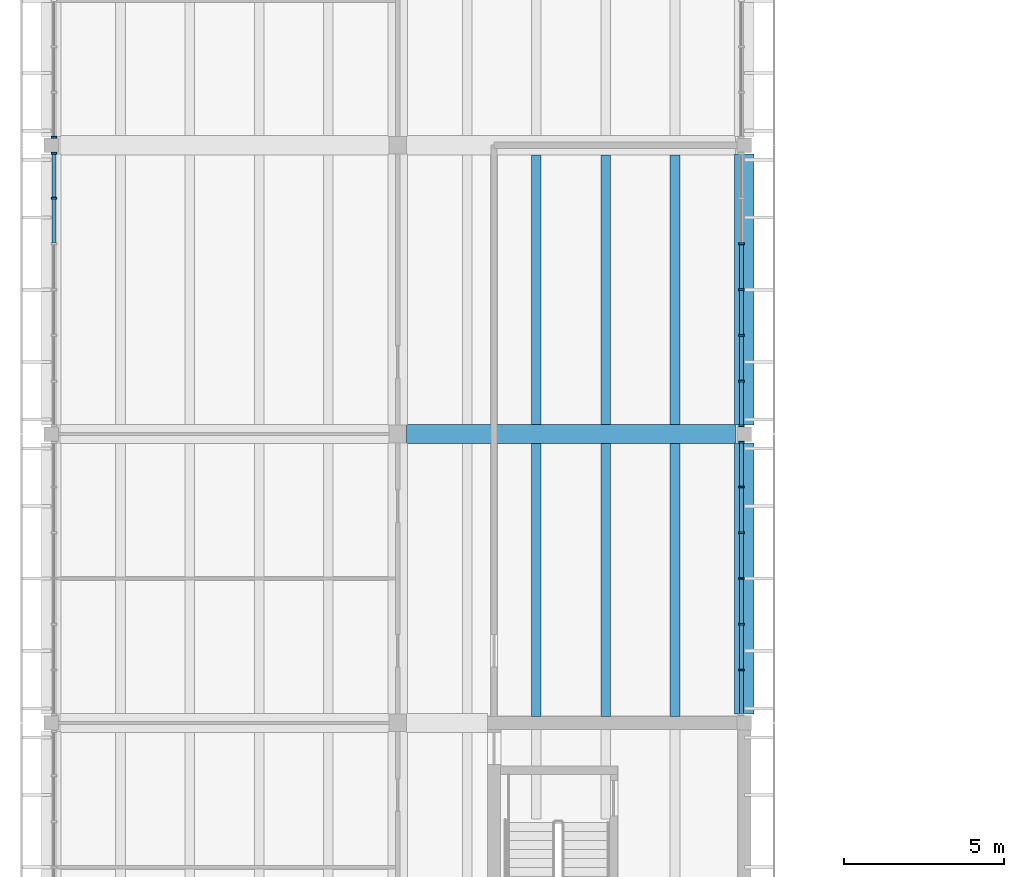
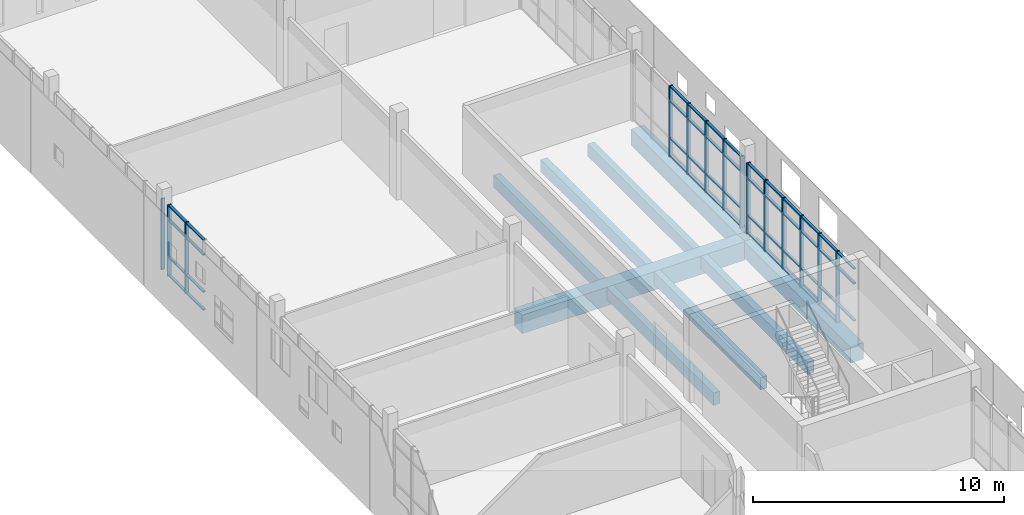
# One storey, part 13 of 50: 61 members, 9 beams, 4 elements without a shape of their own.
"""IFC4 building model written with IfcOpenShell, lengths in metres."""

from ifc_helpers import new_model, si_unit, direction, frame, origin, origin_2d, place, context, subcontext, project, spatial, rectangle, extrude, material, material_profile, profile_set, type_object, element, aggregate, save


model = new_model("IFC4")

# Units and contexts
model_context = context("Model", 3, precision=1e-05, world=origin(), true_north=direction((0.0, 1.0)))
body_context = subcontext(model_context, "Body", "Model", "MODEL_VIEW")
ifc_project = project(units=[si_unit("LENGTHUNIT", "METRE"), si_unit("AREAUNIT", "SQUARE_METRE"), si_unit("VOLUMEUNIT", "CUBIC_METRE"), si_unit("PLANEANGLEUNIT", "RADIAN"), si_unit("MASSUNIT", "GRAM", prefix="KILO")], contexts=[model_context])

# Site, building, storey
site_placement = place(None, origin())
site = spatial("IfcSite", under=ifc_project, at=site_placement, CompositionType="ELEMENT")
building_placement = place(site_placement, origin())
building = spatial("IfcBuilding", under=site, at=building_placement, Name="Merrow Basin Faculty of Sciences", CompositionType="ELEMENT")
storey_placement = place(building_placement, frame((0.0, 0.0, 18.0)))
storey = spatial("IfcBuildingStorey", under=building, at=storey_placement, Name="L04", CompositionType="ELEMENT", Elevation=18.0)

# Curtain wall, members
ifc_material_1 = material(Name="Aluminium alloy 6063", Category="aluminium")
curtain_wall_type = type_object("IfcCurtainWallType", Name="Bar unitised curtain wall 180", PredefinedType="NOTDEFINED", material=ifc_material_1)
curtain_wall_1_placement = place(storey_placement, origin())
curtain_wall_1 = element("IfcCurtainWall", 1, at=curtain_wall_1_placement, inside=storey, type_object=curtain_wall_type, Name="West curtain wall L04 5", PredefinedType="NOTDEFINED")
ifc_material_2 = material(Name="Aluminium alloy 6063", Category="aluminium")
ifc_material_profile_1 = material_profile(ifc_material_2, rectangle(XDim=0.179931640625, YDim=0.06005859375, at=origin_2d()))
ifc_profile_set_1 = profile_set([ifc_material_profile_1], Name="Aluminium alloy 6063")
member_type_1 = type_object("IfcMemberType", Name="Aluminium mullion 60x180", PredefinedType="MULLION", material=ifc_profile_set_1)
member_1_placement = place(storey_placement, frame((0.090087890625, 113.35009765625, 0.0), z_axis=(0.0, 0.0, 1.0), x_axis=(-1.0, 0.0, 0.0)))
member_1 = element("IfcMember", 2, at=member_1_placement, type_object=member_type_1, Name="CW1 mullion 6", PredefinedType="MULLION", context=body_context, shape_type="SweptSolid", body=[
    extrude(rectangle(XDim=0.179931640625, YDim=0.06005859375, at=origin_2d()), origin(), (0.0, 0.0, 1.0), 3.449951171875),
])
member_2_placement = place(storey_placement, frame((0.090087890625, 114.7451171875, 0.0), z_axis=(0.0, 0.0, 1.0), x_axis=(-1.0, 0.0, 0.0)))
member_2 = element("IfcMember", 3, at=member_2_placement, type_object=member_type_1, Name="CW1 mullion 7", PredefinedType="MULLION", context=body_context, shape_type="SweptSolid", body=[
    extrude(rectangle(XDim=0.179931640625, YDim=0.06005859375, at=origin_2d()), origin(), (0.0, 0.0, 1.0), 3.449951171875),
])

# Curtain wall, member
curtain_wall_2_placement = place(storey_placement, origin())
curtain_wall_2 = element("IfcCurtainWall", 4, at=curtain_wall_2_placement, inside=storey, type_object=curtain_wall_type, Name="West curtain wall L04 6", PredefinedType="NOTDEFINED")
member_3_placement = place(storey_placement, frame((0.090087890625, 115.2548828125, 0.0), z_axis=(0.0, 0.0, 1.0), x_axis=(-1.0, 0.0, 0.0)))
member_3 = element("IfcMember", 5, at=member_3_placement, type_object=member_type_1, Name="CW1 mullion 1", PredefinedType="MULLION", context=body_context, shape_type="SweptSolid", body=[
    extrude(rectangle(XDim=0.179931640625, YDim=0.06005859375, at=origin_2d()), origin(), (0.0, 0.0, 1.0), 3.449951171875),
])
aggregate(curtain_wall_2, [member_3])

# Curtain wall, members
curtain_wall_3_placement = place(storey_placement, origin())
curtain_wall_3 = element("IfcCurtainWall", 6, at=curtain_wall_3_placement, inside=storey, type_object=curtain_wall_type, Name="East curtain wall L04 4", PredefinedType="NOTDEFINED")
member_4_placement = place(storey_placement, frame((21.510009765625, 98.64990234375, 0.0), z_axis=(0.0, 0.0, 1.0), x_axis=(-1.0, 0.0, 0.0)))
member_4 = element("IfcMember", 7, at=member_4_placement, type_object=member_type_1, Name="CW1 mullion 2", PredefinedType="MULLION", context=body_context, shape_type="SweptSolid", body=[
    extrude(rectangle(XDim=0.179931640625, YDim=0.06005859375, at=origin_2d()), origin(), (0.0, 0.0, 1.0), 3.449951171875),
])
member_5_placement = place(storey_placement, frame((21.510009765625, 100.074951171875, 0.0), z_axis=(0.0, 0.0, 1.0), x_axis=(-1.0, 0.0, 0.0)))
member_5 = element("IfcMember", 8, at=member_5_placement, type_object=member_type_1, Name="CW1 mullion 3", PredefinedType="MULLION", context=body_context, shape_type="SweptSolid", body=[
    extrude(rectangle(XDim=0.179931640625, YDim=0.06005859375, at=origin_2d()), origin(), (0.0, 0.0, 1.0), 3.449951171875),
])
member_6_placement = place(storey_placement, frame((21.510009765625, 101.5, 0.0), z_axis=(0.0, 0.0, 1.0), x_axis=(-1.0, 0.0, 0.0)))
member_6 = element("IfcMember", 9, at=member_6_placement, type_object=member_type_1, Name="CW1 mullion 4", PredefinedType="MULLION", context=body_context, shape_type="SweptSolid", body=[
    extrude(rectangle(XDim=0.179931640625, YDim=0.06005859375, at=origin_2d()), origin(), (0.0, 0.0, 1.0), 3.449951171875),
])
member_7_placement = place(storey_placement, frame((21.510009765625, 102.925048828125, 0.0), z_axis=(0.0, 0.0, 1.0), x_axis=(-1.0, 0.0, 0.0)))
member_7 = element("IfcMember", 10, at=member_7_placement, type_object=member_type_1, Name="CW1 mullion 5", PredefinedType="MULLION", context=body_context, shape_type="SweptSolid", body=[
    extrude(rectangle(XDim=0.179931640625, YDim=0.06005859375, at=origin_2d()), origin(), (0.0, 0.0, 1.0), 3.449951171875),
])
member_8_placement = place(storey_placement, frame((21.510009765625, 104.35009765625, 0.0), z_axis=(0.0, 0.0, 1.0), x_axis=(-1.0, 0.0, 0.0)))
member_8 = element("IfcMember", 11, at=member_8_placement, type_object=member_type_1, Name="CW1 mullion 6", PredefinedType="MULLION", context=body_context, shape_type="SweptSolid", body=[
    extrude(rectangle(XDim=0.179931640625, YDim=0.06005859375, at=origin_2d()), origin(), (0.0, 0.0, 1.0), 3.449951171875),
])
member_9_placement = place(storey_placement, frame((21.510009765625, 105.7451171875, 0.0), z_axis=(0.0, 0.0, 1.0), x_axis=(-1.0, 0.0, 0.0)))
member_9 = element("IfcMember", 12, at=member_9_placement, type_object=member_type_1, Name="CW1 mullion 7", PredefinedType="MULLION", context=body_context, shape_type="SweptSolid", body=[
    extrude(rectangle(XDim=0.179931640625, YDim=0.06005859375, at=origin_2d()), origin(), (0.0, 0.0, 1.0), 3.449951171875),
])

curtain_wall_4_placement = place(storey_placement, origin())
curtain_wall_4 = element("IfcCurtainWall", 13, at=curtain_wall_4_placement, inside=storey, type_object=curtain_wall_type, Name="East curtain wall L04 5", PredefinedType="NOTDEFINED")
member_10_placement = place(storey_placement, frame((21.510009765625, 106.2548828125, 0.0), z_axis=(0.0, 0.0, 1.0), x_axis=(-1.0, 0.0, 0.0)))
member_10 = element("IfcMember", 14, at=member_10_placement, type_object=member_type_1, Name="CW1 mullion 1", PredefinedType="MULLION", context=body_context, shape_type="SweptSolid", body=[
    extrude(rectangle(XDim=0.179931640625, YDim=0.06005859375, at=origin_2d()), origin(), (0.0, 0.0, 1.0), 3.449951171875),
])
member_11_placement = place(storey_placement, frame((21.510009765625, 107.64990234375, 0.0), z_axis=(0.0, 0.0, 1.0), x_axis=(-1.0, 0.0, 0.0)))
member_11 = element("IfcMember", 15, at=member_11_placement, type_object=member_type_1, Name="CW1 mullion 2", PredefinedType="MULLION", context=body_context, shape_type="SweptSolid", body=[
    extrude(rectangle(XDim=0.179931640625, YDim=0.06005859375, at=origin_2d()), origin(), (0.0, 0.0, 1.0), 3.449951171875),
])
member_12_placement = place(storey_placement, frame((21.510009765625, 109.074951171875, 0.0), z_axis=(0.0, 0.0, 1.0), x_axis=(-1.0, 0.0, 0.0)))
member_12 = element("IfcMember", 16, at=member_12_placement, type_object=member_type_1, Name="CW1 mullion 3", PredefinedType="MULLION", context=body_context, shape_type="SweptSolid", body=[
    extrude(rectangle(XDim=0.179931640625, YDim=0.06005859375, at=origin_2d()), origin(), (0.0, 0.0, 1.0), 3.449951171875),
])
member_13_placement = place(storey_placement, frame((21.510009765625, 110.5, 0.0), z_axis=(0.0, 0.0, 1.0), x_axis=(-1.0, 0.0, 0.0)))
member_13 = element("IfcMember", 17, at=member_13_placement, type_object=member_type_1, Name="CW1 mullion 4", PredefinedType="MULLION", context=body_context, shape_type="SweptSolid", body=[
    extrude(rectangle(XDim=0.179931640625, YDim=0.06005859375, at=origin_2d()), origin(), (0.0, 0.0, 1.0), 3.449951171875),
])
member_14_placement = place(storey_placement, frame((21.510009765625, 111.925048828125, 0.0), z_axis=(0.0, 0.0, 1.0), x_axis=(-1.0, 0.0, 0.0)))
member_14 = element("IfcMember", 18, at=member_14_placement, type_object=member_type_1, Name="CW1 mullion 5", PredefinedType="MULLION", context=body_context, shape_type="SweptSolid", body=[
    extrude(rectangle(XDim=0.179931640625, YDim=0.06005859375, at=origin_2d()), origin(), (0.0, 0.0, 1.0), 3.449951171875),
])

# Member
ifc_material_3 = material(Name="Aluminium alloy 6063", Category="aluminium")
ifc_material_profile_2 = material_profile(ifc_material_3, rectangle(XDim=0.1201171875, YDim=0.06005859375, at=origin_2d()))
ifc_profile_set_2 = profile_set([ifc_material_profile_2], Name="Aluminium alloy 6063")
member_type_2 = type_object("IfcMemberType", Name="Aluminium transom 60x120", PredefinedType="USERDEFINED", material=ifc_profile_set_2)
member_15_placement = place(storey_placement, frame((0.090087890625, 111.955078125, 0.030029296875), z_axis=(0.0, 1.0, 0.0), x_axis=(-1.0, 0.0, 0.0)))
member_15 = element("IfcMember", 19, at=member_15_placement, type_object=member_type_2, Name="CW1 transom 5.1", ObjectType="TRANSOM", PredefinedType="USERDEFINED", context=body_context, shape_type="SweptSolid", body=[
    extrude(rectangle(XDim=0.1201171875, YDim=0.06005859375, at=origin_2d()), origin(), (0.0, 0.0, 1.0), 1.364990234375),
])

member_16_placement = place(storey_placement, frame((0.090087890625, 111.955078125, 0.89990234375), z_axis=(0.0, 1.0, 0.0), x_axis=(-1.0, 0.0, 0.0)))
member_16 = element("IfcMember", 20, at=member_16_placement, type_object=member_type_2, Name="CW1 transom 5.2", ObjectType="TRANSOM", PredefinedType="USERDEFINED", context=body_context, shape_type="SweptSolid", body=[
    extrude(rectangle(XDim=0.1201171875, YDim=0.06005859375, at=origin_2d()), origin(), (0.0, 0.0, 1.0), 1.364990234375),
])

member_17_placement = place(storey_placement, frame((0.090087890625, 111.955078125, 2.699951171875), z_axis=(0.0, 1.0, 0.0), x_axis=(-1.0, 0.0, 0.0)))
member_17 = element("IfcMember", 21, at=member_17_placement, type_object=member_type_2, Name="CW1 transom 5.3", ObjectType="TRANSOM", PredefinedType="USERDEFINED", context=body_context, shape_type="SweptSolid", body=[
    extrude(rectangle(XDim=0.1201171875, YDim=0.06005859375, at=origin_2d()), origin(), (0.0, 0.0, 1.0), 1.364990234375),
])

member_18_placement = place(storey_placement, frame((0.090087890625, 111.955078125, 3.419921875), z_axis=(0.0, 1.0, 0.0), x_axis=(-1.0, 0.0, 0.0)))
member_18 = element("IfcMember", 22, at=member_18_placement, type_object=member_type_2, Name="CW1 transom 5.4", ObjectType="TRANSOM", PredefinedType="USERDEFINED", context=body_context, shape_type="SweptSolid", body=[
    extrude(rectangle(XDim=0.1201171875, YDim=0.06005859375, at=origin_2d()), origin(), (0.0, 0.0, 1.0), 1.364990234375),
])

member_19_placement = place(storey_placement, frame((0.090087890625, 113.3798828125, 0.030029296875), z_axis=(0.0, 1.0, 0.0), x_axis=(-1.0, 0.0, 0.0)))
member_19 = element("IfcMember", 23, at=member_19_placement, type_object=member_type_2, Name="CW1 transom 6.1", ObjectType="TRANSOM", PredefinedType="USERDEFINED", context=body_context, shape_type="SweptSolid", body=[
    extrude(rectangle(XDim=0.1201171875, YDim=0.06005859375, at=origin_2d()), origin(), (0.0, 0.0, 1.0), 1.335205078125),
])

member_20_placement = place(storey_placement, frame((0.090087890625, 113.3798828125, 0.89990234375), z_axis=(0.0, 1.0, 0.0), x_axis=(-1.0, 0.0, 0.0)))
member_20 = element("IfcMember", 24, at=member_20_placement, type_object=member_type_2, Name="CW1 transom 6.2", ObjectType="TRANSOM", PredefinedType="USERDEFINED", context=body_context, shape_type="SweptSolid", body=[
    extrude(rectangle(XDim=0.1201171875, YDim=0.06005859375, at=origin_2d()), origin(), (0.0, 0.0, 1.0), 1.335205078125),
])

member_21_placement = place(storey_placement, frame((0.090087890625, 113.3798828125, 2.699951171875), z_axis=(0.0, 1.0, 0.0), x_axis=(-1.0, 0.0, 0.0)))
member_21 = element("IfcMember", 25, at=member_21_placement, type_object=member_type_2, Name="CW1 transom 6.3", ObjectType="TRANSOM", PredefinedType="USERDEFINED", context=body_context, shape_type="SweptSolid", body=[
    extrude(rectangle(XDim=0.1201171875, YDim=0.06005859375, at=origin_2d()), origin(), (0.0, 0.0, 1.0), 1.335205078125),
])

member_22_placement = place(storey_placement, frame((0.090087890625, 113.3798828125, 3.419921875), z_axis=(0.0, 1.0, 0.0), x_axis=(-1.0, 0.0, 0.0)))
member_22 = element("IfcMember", 26, at=member_22_placement, type_object=member_type_2, Name="CW1 transom 6.4", ObjectType="TRANSOM", PredefinedType="USERDEFINED", context=body_context, shape_type="SweptSolid", body=[
    extrude(rectangle(XDim=0.1201171875, YDim=0.06005859375, at=origin_2d()), origin(), (0.0, 0.0, 1.0), 1.335205078125),
])

aggregate(curtain_wall_1, [member_1, member_2, member_15, member_16, member_17, member_18, member_19, member_20, member_21, member_22])

member_23_placement = place(storey_placement, frame((21.510009765625, 97.284912109375, 0.89990234375), z_axis=(0.0, 1.0, 0.0), x_axis=(-1.0, 0.0, 0.0)))
member_23 = element("IfcMember", 27, at=member_23_placement, type_object=member_type_2, Name="CW1 transom 1.2", ObjectType="TRANSOM", PredefinedType="USERDEFINED", context=body_context, shape_type="SweptSolid", body=[
    extrude(rectangle(XDim=0.1201171875, YDim=0.06005859375, at=origin_2d()), origin(), (0.0, 0.0, 1.0), 1.335205078125),
])

member_24_placement = place(storey_placement, frame((21.510009765625, 97.284912109375, 2.699951171875), z_axis=(0.0, 1.0, 0.0), x_axis=(-1.0, 0.0, 0.0)))
member_24 = element("IfcMember", 28, at=member_24_placement, type_object=member_type_2, Name="CW1 transom 1.3", ObjectType="TRANSOM", PredefinedType="USERDEFINED", context=body_context, shape_type="SweptSolid", body=[
    extrude(rectangle(XDim=0.1201171875, YDim=0.06005859375, at=origin_2d()), origin(), (0.0, 0.0, 1.0), 1.335205078125),
])

member_25_placement = place(storey_placement, frame((21.510009765625, 97.284912109375, 3.419921875), z_axis=(0.0, 1.0, 0.0), x_axis=(-1.0, 0.0, 0.0)))
member_25 = element("IfcMember", 29, at=member_25_placement, type_object=member_type_2, Name="CW1 transom 1.4", ObjectType="TRANSOM", PredefinedType="USERDEFINED", context=body_context, shape_type="SweptSolid", body=[
    extrude(rectangle(XDim=0.1201171875, YDim=0.06005859375, at=origin_2d()), origin(), (0.0, 0.0, 1.0), 1.335205078125),
])

member_26_placement = place(storey_placement, frame((21.510009765625, 98.679931640625, 0.030029296875), z_axis=(0.0, 1.0, 0.0), x_axis=(-1.0, 0.0, 0.0)))
member_26 = element("IfcMember", 30, at=member_26_placement, type_object=member_type_2, Name="CW1 transom 2.1", ObjectType="TRANSOM", PredefinedType="USERDEFINED", context=body_context, shape_type="SweptSolid", body=[
    extrude(rectangle(XDim=0.1201171875, YDim=0.06005859375, at=origin_2d()), origin(), (0.0, 0.0, 1.0), 1.364990234375),
])

member_27_placement = place(storey_placement, frame((21.510009765625, 98.679931640625, 0.89990234375), z_axis=(0.0, 1.0, 0.0), x_axis=(-1.0, 0.0, 0.0)))
member_27 = element("IfcMember", 31, at=member_27_placement, type_object=member_type_2, Name="CW1 transom 2.2", ObjectType="TRANSOM", PredefinedType="USERDEFINED", context=body_context, shape_type="SweptSolid", body=[
    extrude(rectangle(XDim=0.1201171875, YDim=0.06005859375, at=origin_2d()), origin(), (0.0, 0.0, 1.0), 1.364990234375),
])

member_28_placement = place(storey_placement, frame((21.510009765625, 98.679931640625, 2.699951171875), z_axis=(0.0, 1.0, 0.0), x_axis=(-1.0, 0.0, 0.0)))
member_28 = element("IfcMember", 32, at=member_28_placement, type_object=member_type_2, Name="CW1 transom 2.3", ObjectType="TRANSOM", PredefinedType="USERDEFINED", context=body_context, shape_type="SweptSolid", body=[
    extrude(rectangle(XDim=0.1201171875, YDim=0.06005859375, at=origin_2d()), origin(), (0.0, 0.0, 1.0), 1.364990234375),
])

member_29_placement = place(storey_placement, frame((21.510009765625, 98.679931640625, 3.419921875), z_axis=(0.0, 1.0, 0.0), x_axis=(-1.0, 0.0, 0.0)))
member_29 = element("IfcMember", 33, at=member_29_placement, type_object=member_type_2, Name="CW1 transom 2.4", ObjectType="TRANSOM", PredefinedType="USERDEFINED", context=body_context, shape_type="SweptSolid", body=[
    extrude(rectangle(XDim=0.1201171875, YDim=0.06005859375, at=origin_2d()), origin(), (0.0, 0.0, 1.0), 1.364990234375),
])

member_30_placement = place(storey_placement, frame((21.510009765625, 100.10498046875, 0.030029296875), z_axis=(0.0, 1.0, 0.0), x_axis=(-1.0, 0.0, 0.0)))
member_30 = element("IfcMember", 34, at=member_30_placement, type_object=member_type_2, Name="CW1 transom 3.1", ObjectType="TRANSOM", PredefinedType="USERDEFINED", context=body_context, shape_type="SweptSolid", body=[
    extrude(rectangle(XDim=0.1201171875, YDim=0.06005859375, at=origin_2d()), origin(), (0.0, 0.0, 1.0), 1.364990234375),
])

member_31_placement = place(storey_placement, frame((21.510009765625, 100.10498046875, 0.89990234375), z_axis=(0.0, 1.0, 0.0), x_axis=(-1.0, 0.0, 0.0)))
member_31 = element("IfcMember", 35, at=member_31_placement, type_object=member_type_2, Name="CW1 transom 3.2", ObjectType="TRANSOM", PredefinedType="USERDEFINED", context=body_context, shape_type="SweptSolid", body=[
    extrude(rectangle(XDim=0.1201171875, YDim=0.06005859375, at=origin_2d()), origin(), (0.0, 0.0, 1.0), 1.364990234375),
])

member_32_placement = place(storey_placement, frame((21.510009765625, 100.10498046875, 2.699951171875), z_axis=(0.0, 1.0, 0.0), x_axis=(-1.0, 0.0, 0.0)))
member_32 = element("IfcMember", 36, at=member_32_placement, type_object=member_type_2, Name="CW1 transom 3.3", ObjectType="TRANSOM", PredefinedType="USERDEFINED", context=body_context, shape_type="SweptSolid", body=[
    extrude(rectangle(XDim=0.1201171875, YDim=0.06005859375, at=origin_2d()), origin(), (0.0, 0.0, 1.0), 1.364990234375),
])

member_33_placement = place(storey_placement, frame((21.510009765625, 100.10498046875, 3.419921875), z_axis=(0.0, 1.0, 0.0), x_axis=(-1.0, 0.0, 0.0)))
member_33 = element("IfcMember", 37, at=member_33_placement, type_object=member_type_2, Name="CW1 transom 3.4", ObjectType="TRANSOM", PredefinedType="USERDEFINED", context=body_context, shape_type="SweptSolid", body=[
    extrude(rectangle(XDim=0.1201171875, YDim=0.06005859375, at=origin_2d()), origin(), (0.0, 0.0, 1.0), 1.364990234375),
])

member_34_placement = place(storey_placement, frame((21.510009765625, 101.530029296875, 0.030029296875), z_axis=(0.0, 1.0, 0.0), x_axis=(-1.0, 0.0, 0.0)))
member_34 = element("IfcMember", 38, at=member_34_placement, type_object=member_type_2, Name="CW1 transom 4.1", ObjectType="TRANSOM", PredefinedType="USERDEFINED", context=body_context, shape_type="SweptSolid", body=[
    extrude(rectangle(XDim=0.1201171875, YDim=0.06005859375, at=origin_2d()), origin(), (0.0, 0.0, 1.0), 1.364990234375),
])

member_35_placement = place(storey_placement, frame((21.510009765625, 101.530029296875, 0.89990234375), z_axis=(0.0, 1.0, 0.0), x_axis=(-1.0, 0.0, 0.0)))
member_35 = element("IfcMember", 39, at=member_35_placement, type_object=member_type_2, Name="CW1 transom 4.2", ObjectType="TRANSOM", PredefinedType="USERDEFINED", context=body_context, shape_type="SweptSolid", body=[
    extrude(rectangle(XDim=0.1201171875, YDim=0.06005859375, at=origin_2d()), origin(), (0.0, 0.0, 1.0), 1.364990234375),
])

member_36_placement = place(storey_placement, frame((21.510009765625, 101.530029296875, 2.699951171875), z_axis=(0.0, 1.0, 0.0), x_axis=(-1.0, 0.0, 0.0)))
member_36 = element("IfcMember", 40, at=member_36_placement, type_object=member_type_2, Name="CW1 transom 4.3", ObjectType="TRANSOM", PredefinedType="USERDEFINED", context=body_context, shape_type="SweptSolid", body=[
    extrude(rectangle(XDim=0.1201171875, YDim=0.06005859375, at=origin_2d()), origin(), (0.0, 0.0, 1.0), 1.364990234375),
])

member_37_placement = place(storey_placement, frame((21.510009765625, 101.530029296875, 3.419921875), z_axis=(0.0, 1.0, 0.0), x_axis=(-1.0, 0.0, 0.0)))
member_37 = element("IfcMember", 41, at=member_37_placement, type_object=member_type_2, Name="CW1 transom 4.4", ObjectType="TRANSOM", PredefinedType="USERDEFINED", context=body_context, shape_type="SweptSolid", body=[
    extrude(rectangle(XDim=0.1201171875, YDim=0.06005859375, at=origin_2d()), origin(), (0.0, 0.0, 1.0), 1.364990234375),
])

member_38_placement = place(storey_placement, frame((21.510009765625, 102.955078125, 0.030029296875), z_axis=(0.0, 1.0, 0.0), x_axis=(-1.0, 0.0, 0.0)))
member_38 = element("IfcMember", 42, at=member_38_placement, type_object=member_type_2, Name="CW1 transom 5.1", ObjectType="TRANSOM", PredefinedType="USERDEFINED", context=body_context, shape_type="SweptSolid", body=[
    extrude(rectangle(XDim=0.1201171875, YDim=0.06005859375, at=origin_2d()), origin(), (0.0, 0.0, 1.0), 1.364990234375),
])

member_39_placement = place(storey_placement, frame((21.510009765625, 102.955078125, 0.89990234375), z_axis=(0.0, 1.0, 0.0), x_axis=(-1.0, 0.0, 0.0)))
member_39 = element("IfcMember", 43, at=member_39_placement, type_object=member_type_2, Name="CW1 transom 5.2", ObjectType="TRANSOM", PredefinedType="USERDEFINED", context=body_context, shape_type="SweptSolid", body=[
    extrude(rectangle(XDim=0.1201171875, YDim=0.06005859375, at=origin_2d()), origin(), (0.0, 0.0, 1.0), 1.364990234375),
])

member_40_placement = place(storey_placement, frame((21.510009765625, 102.955078125, 2.699951171875), z_axis=(0.0, 1.0, 0.0), x_axis=(-1.0, 0.0, 0.0)))
member_40 = element("IfcMember", 44, at=member_40_placement, type_object=member_type_2, Name="CW1 transom 5.3", ObjectType="TRANSOM", PredefinedType="USERDEFINED", context=body_context, shape_type="SweptSolid", body=[
    extrude(rectangle(XDim=0.1201171875, YDim=0.06005859375, at=origin_2d()), origin(), (0.0, 0.0, 1.0), 1.364990234375),
])

member_41_placement = place(storey_placement, frame((21.510009765625, 102.955078125, 3.419921875), z_axis=(0.0, 1.0, 0.0), x_axis=(-1.0, 0.0, 0.0)))
member_41 = element("IfcMember", 45, at=member_41_placement, type_object=member_type_2, Name="CW1 transom 5.4", ObjectType="TRANSOM", PredefinedType="USERDEFINED", context=body_context, shape_type="SweptSolid", body=[
    extrude(rectangle(XDim=0.1201171875, YDim=0.06005859375, at=origin_2d()), origin(), (0.0, 0.0, 1.0), 1.364990234375),
])

member_42_placement = place(storey_placement, frame((21.510009765625, 104.3798828125, 0.030029296875), z_axis=(0.0, 1.0, 0.0), x_axis=(-1.0, 0.0, 0.0)))
member_42 = element("IfcMember", 46, at=member_42_placement, type_object=member_type_2, Name="CW1 transom 6.1", ObjectType="TRANSOM", PredefinedType="USERDEFINED", context=body_context, shape_type="SweptSolid", body=[
    extrude(rectangle(XDim=0.1201171875, YDim=0.06005859375, at=origin_2d()), origin(), (0.0, 0.0, 1.0), 1.335205078125),
])

member_43_placement = place(storey_placement, frame((21.510009765625, 104.3798828125, 0.89990234375), z_axis=(0.0, 1.0, 0.0), x_axis=(-1.0, 0.0, 0.0)))
member_43 = element("IfcMember", 47, at=member_43_placement, type_object=member_type_2, Name="CW1 transom 6.2", ObjectType="TRANSOM", PredefinedType="USERDEFINED", context=body_context, shape_type="SweptSolid", body=[
    extrude(rectangle(XDim=0.1201171875, YDim=0.06005859375, at=origin_2d()), origin(), (0.0, 0.0, 1.0), 1.335205078125),
])

member_44_placement = place(storey_placement, frame((21.510009765625, 104.3798828125, 2.699951171875), z_axis=(0.0, 1.0, 0.0), x_axis=(-1.0, 0.0, 0.0)))
member_44 = element("IfcMember", 48, at=member_44_placement, type_object=member_type_2, Name="CW1 transom 6.3", ObjectType="TRANSOM", PredefinedType="USERDEFINED", context=body_context, shape_type="SweptSolid", body=[
    extrude(rectangle(XDim=0.1201171875, YDim=0.06005859375, at=origin_2d()), origin(), (0.0, 0.0, 1.0), 1.335205078125),
])

member_45_placement = place(storey_placement, frame((21.510009765625, 104.3798828125, 3.419921875), z_axis=(0.0, 1.0, 0.0), x_axis=(-1.0, 0.0, 0.0)))
member_45 = element("IfcMember", 49, at=member_45_placement, type_object=member_type_2, Name="CW1 transom 6.4", ObjectType="TRANSOM", PredefinedType="USERDEFINED", context=body_context, shape_type="SweptSolid", body=[
    extrude(rectangle(XDim=0.1201171875, YDim=0.06005859375, at=origin_2d()), origin(), (0.0, 0.0, 1.0), 1.335205078125),
])

aggregate(curtain_wall_3, [member_4, member_5, member_6, member_7, member_8, member_9, member_23, member_24, member_25, member_26, member_27, member_28, member_29, member_30, member_31, member_32, member_33, member_34, member_35, member_36, member_37, member_38, member_39, member_40, member_41, member_42, member_43, member_44, member_45])

member_46_placement = place(storey_placement, frame((21.510009765625, 106.284912109375, 0.030029296875), z_axis=(0.0, 1.0, 0.0), x_axis=(-1.0, 0.0, 0.0)))
member_46 = element("IfcMember", 50, at=member_46_placement, type_object=member_type_2, Name="CW1 transom 1.1", ObjectType="TRANSOM", PredefinedType="USERDEFINED", context=body_context, shape_type="SweptSolid", body=[
    extrude(rectangle(XDim=0.1201171875, YDim=0.06005859375, at=origin_2d()), origin(), (0.0, 0.0, 1.0), 1.335205078125),
])

member_47_placement = place(storey_placement, frame((21.510009765625, 106.284912109375, 0.89990234375), z_axis=(0.0, 1.0, 0.0), x_axis=(-1.0, 0.0, 0.0)))
member_47 = element("IfcMember", 51, at=member_47_placement, type_object=member_type_2, Name="CW1 transom 1.2", ObjectType="TRANSOM", PredefinedType="USERDEFINED", context=body_context, shape_type="SweptSolid", body=[
    extrude(rectangle(XDim=0.1201171875, YDim=0.06005859375, at=origin_2d()), origin(), (0.0, 0.0, 1.0), 1.335205078125),
])

member_48_placement = place(storey_placement, frame((21.510009765625, 106.284912109375, 2.699951171875), z_axis=(0.0, 1.0, 0.0), x_axis=(-1.0, 0.0, 0.0)))
member_48 = element("IfcMember", 52, at=member_48_placement, type_object=member_type_2, Name="CW1 transom 1.3", ObjectType="TRANSOM", PredefinedType="USERDEFINED", context=body_context, shape_type="SweptSolid", body=[
    extrude(rectangle(XDim=0.1201171875, YDim=0.06005859375, at=origin_2d()), origin(), (0.0, 0.0, 1.0), 1.335205078125),
])

member_49_placement = place(storey_placement, frame((21.510009765625, 106.284912109375, 3.419921875), z_axis=(0.0, 1.0, 0.0), x_axis=(-1.0, 0.0, 0.0)))
member_49 = element("IfcMember", 53, at=member_49_placement, type_object=member_type_2, Name="CW1 transom 1.4", ObjectType="TRANSOM", PredefinedType="USERDEFINED", context=body_context, shape_type="SweptSolid", body=[
    extrude(rectangle(XDim=0.1201171875, YDim=0.06005859375, at=origin_2d()), origin(), (0.0, 0.0, 1.0), 1.335205078125),
])

member_50_placement = place(storey_placement, frame((21.510009765625, 107.679931640625, 0.030029296875), z_axis=(0.0, 1.0, 0.0), x_axis=(-1.0, 0.0, 0.0)))
member_50 = element("IfcMember", 54, at=member_50_placement, type_object=member_type_2, Name="CW1 transom 2.1", ObjectType="TRANSOM", PredefinedType="USERDEFINED", context=body_context, shape_type="SweptSolid", body=[
    extrude(rectangle(XDim=0.1201171875, YDim=0.06005859375, at=origin_2d()), origin(), (0.0, 0.0, 1.0), 1.364990234375),
])

member_51_placement = place(storey_placement, frame((21.510009765625, 107.679931640625, 0.89990234375), z_axis=(0.0, 1.0, 0.0), x_axis=(-1.0, 0.0, 0.0)))
member_51 = element("IfcMember", 55, at=member_51_placement, type_object=member_type_2, Name="CW1 transom 2.2", ObjectType="TRANSOM", PredefinedType="USERDEFINED", context=body_context, shape_type="SweptSolid", body=[
    extrude(rectangle(XDim=0.1201171875, YDim=0.06005859375, at=origin_2d()), origin(), (0.0, 0.0, 1.0), 1.364990234375),
])

member_52_placement = place(storey_placement, frame((21.510009765625, 107.679931640625, 2.699951171875), z_axis=(0.0, 1.0, 0.0), x_axis=(-1.0, 0.0, 0.0)))
member_52 = element("IfcMember", 56, at=member_52_placement, type_object=member_type_2, Name="CW1 transom 2.3", ObjectType="TRANSOM", PredefinedType="USERDEFINED", context=body_context, shape_type="SweptSolid", body=[
    extrude(rectangle(XDim=0.1201171875, YDim=0.06005859375, at=origin_2d()), origin(), (0.0, 0.0, 1.0), 1.364990234375),
])

member_53_placement = place(storey_placement, frame((21.510009765625, 107.679931640625, 3.419921875), z_axis=(0.0, 1.0, 0.0), x_axis=(-1.0, 0.0, 0.0)))
member_53 = element("IfcMember", 57, at=member_53_placement, type_object=member_type_2, Name="CW1 transom 2.4", ObjectType="TRANSOM", PredefinedType="USERDEFINED", context=body_context, shape_type="SweptSolid", body=[
    extrude(rectangle(XDim=0.1201171875, YDim=0.06005859375, at=origin_2d()), origin(), (0.0, 0.0, 1.0), 1.364990234375),
])

member_54_placement = place(storey_placement, frame((21.510009765625, 109.10498046875, 0.030029296875), z_axis=(0.0, 1.0, 0.0), x_axis=(-1.0, 0.0, 0.0)))
member_54 = element("IfcMember", 58, at=member_54_placement, type_object=member_type_2, Name="CW1 transom 3.1", ObjectType="TRANSOM", PredefinedType="USERDEFINED", context=body_context, shape_type="SweptSolid", body=[
    extrude(rectangle(XDim=0.1201171875, YDim=0.06005859375, at=origin_2d()), origin(), (0.0, 0.0, 1.0), 1.364990234375),
])

member_55_placement = place(storey_placement, frame((21.510009765625, 109.10498046875, 0.89990234375), z_axis=(0.0, 1.0, 0.0), x_axis=(-1.0, 0.0, 0.0)))
member_55 = element("IfcMember", 59, at=member_55_placement, type_object=member_type_2, Name="CW1 transom 3.2", ObjectType="TRANSOM", PredefinedType="USERDEFINED", context=body_context, shape_type="SweptSolid", body=[
    extrude(rectangle(XDim=0.1201171875, YDim=0.06005859375, at=origin_2d()), origin(), (0.0, 0.0, 1.0), 1.364990234375),
])

member_56_placement = place(storey_placement, frame((21.510009765625, 109.10498046875, 2.699951171875), z_axis=(0.0, 1.0, 0.0), x_axis=(-1.0, 0.0, 0.0)))
member_56 = element("IfcMember", 60, at=member_56_placement, type_object=member_type_2, Name="CW1 transom 3.3", ObjectType="TRANSOM", PredefinedType="USERDEFINED", context=body_context, shape_type="SweptSolid", body=[
    extrude(rectangle(XDim=0.1201171875, YDim=0.06005859375, at=origin_2d()), origin(), (0.0, 0.0, 1.0), 1.364990234375),
])

member_57_placement = place(storey_placement, frame((21.510009765625, 109.10498046875, 3.419921875), z_axis=(0.0, 1.0, 0.0), x_axis=(-1.0, 0.0, 0.0)))
member_57 = element("IfcMember", 61, at=member_57_placement, type_object=member_type_2, Name="CW1 transom 3.4", ObjectType="TRANSOM", PredefinedType="USERDEFINED", context=body_context, shape_type="SweptSolid", body=[
    extrude(rectangle(XDim=0.1201171875, YDim=0.06005859375, at=origin_2d()), origin(), (0.0, 0.0, 1.0), 1.364990234375),
])

member_58_placement = place(storey_placement, frame((21.510009765625, 110.530029296875, 0.030029296875), z_axis=(0.0, 1.0, 0.0), x_axis=(-1.0, 0.0, 0.0)))
member_58 = element("IfcMember", 62, at=member_58_placement, type_object=member_type_2, Name="CW1 transom 4.1", ObjectType="TRANSOM", PredefinedType="USERDEFINED", context=body_context, shape_type="SweptSolid", body=[
    extrude(rectangle(XDim=0.1201171875, YDim=0.06005859375, at=origin_2d()), origin(), (0.0, 0.0, 1.0), 1.364990234375),
])

member_59_placement = place(storey_placement, frame((21.510009765625, 110.530029296875, 0.89990234375), z_axis=(0.0, 1.0, 0.0), x_axis=(-1.0, 0.0, 0.0)))
member_59 = element("IfcMember", 63, at=member_59_placement, type_object=member_type_2, Name="CW1 transom 4.2", ObjectType="TRANSOM", PredefinedType="USERDEFINED", context=body_context, shape_type="SweptSolid", body=[
    extrude(rectangle(XDim=0.1201171875, YDim=0.06005859375, at=origin_2d()), origin(), (0.0, 0.0, 1.0), 1.364990234375),
])

member_60_placement = place(storey_placement, frame((21.510009765625, 110.530029296875, 2.699951171875), z_axis=(0.0, 1.0, 0.0), x_axis=(-1.0, 0.0, 0.0)))
member_60 = element("IfcMember", 64, at=member_60_placement, type_object=member_type_2, Name="CW1 transom 4.3", ObjectType="TRANSOM", PredefinedType="USERDEFINED", context=body_context, shape_type="SweptSolid", body=[
    extrude(rectangle(XDim=0.1201171875, YDim=0.06005859375, at=origin_2d()), origin(), (0.0, 0.0, 1.0), 1.364990234375),
])

member_61_placement = place(storey_placement, frame((21.510009765625, 110.530029296875, 3.419921875), z_axis=(0.0, 1.0, 0.0), x_axis=(-1.0, 0.0, 0.0)))
member_61 = element("IfcMember", 65, at=member_61_placement, type_object=member_type_2, Name="CW1 transom 4.4", ObjectType="TRANSOM", PredefinedType="USERDEFINED", context=body_context, shape_type="SweptSolid", body=[
    extrude(rectangle(XDim=0.1201171875, YDim=0.06005859375, at=origin_2d()), origin(), (0.0, 0.0, 1.0), 1.364990234375),
])

aggregate(curtain_wall_4, [member_10, member_11, member_12, member_13, member_14, member_46, member_47, member_48, member_49, member_50, member_51, member_52, member_53, member_54, member_55, member_56, member_57, member_58, member_59, member_60, member_61])

# Beams
ifc_material_4 = material(Name="Concrete C40/50", Category="concrete")
ifc_material_profile_3 = material_profile(ifc_material_4, rectangle(XDim=0.60009765625, YDim=0.800048828125, at=origin_2d()))
ifc_profile_set_3 = profile_set([ifc_material_profile_3], Name="Concrete C40/50")
beam_type_1 = type_object("IfcBeamType", Name="Beam RC600x800 C40/50", PredefinedType="BEAM", material=ifc_profile_set_3)
for number, where, z_axis, x_axis, name in (
    (66, (21.60009765625, 97.27490234375, -0.699951171875), (0.0, 1.0, 0.0), (-1.0, 0.0, 0.0), "B2 L04 031"),
    (67, (21.60009765625, 106.27490234375, -0.699951171875), (0.0, 1.0, 0.0), (-1.0, 0.0, 0.0), "B2 L04 032"),
):
    element("IfcBeam", number, at=place(storey_placement, frame(where, z_axis=z_axis, x_axis=x_axis)), inside=storey, type_object=beam_type_1, Name=name, PredefinedType="BEAM", context=body_context, shape_type="SweptSolid", body=[
        extrude(rectangle(XDim=0.60009765625, YDim=0.800048828125, at=origin_2d()), origin(), (0.0, 0.0, 1.0), 8.4501953125),
    ])
ifc_material_5 = material(Name="Concrete C40/50", Category="concrete")
ifc_material_profile_4 = material_profile(ifc_material_5, rectangle(XDim=0.60009765625, YDim=0.89990234375, at=origin_2d()))
ifc_profile_set_4 = profile_set([ifc_material_profile_4], Name="Concrete C40/50")
beam_type_2 = type_object("IfcBeamType", Name="Beam RC600x900 C40/50", PredefinedType="BEAM", material=ifc_profile_set_4)
beam_placement = place(storey_placement, frame((11.074951171875, 106.0, -0.75), z_axis=(1.0, 0.0, 0.0), x_axis=(0.0, 1.0, 0.0)))
element("IfcBeam", 68, at=beam_placement, inside=storey, type_object=beam_type_2, Name="B1 L04 010", PredefinedType="BEAM", context=body_context, shape_type="SweptSolid", body=[
    extrude(rectangle(XDim=0.60009765625, YDim=0.89990234375, at=origin_2d()), origin(), (0.0, 0.0, 1.0), 10.25),
])
ifc_material_6 = material(Name="Concrete C40/50", Category="concrete")
ifc_material_profile_5 = material_profile(ifc_material_6, rectangle(XDim=0.300048828125, YDim=0.60009765625, at=origin_2d()))
ifc_profile_set_5 = profile_set([ifc_material_profile_5], Name="Concrete C40/50")
beam_type_3 = type_object("IfcBeamType", Name="Laboratory floor joist RC300x600 C40/50", PredefinedType="BEAM", material=ifc_profile_set_5)
for number, where, z_axis, x_axis, name in (
    (69, (15.1201171875, 97.199951171875, -0.60009765625), (0.0, 1.0, 0.0), (-1.0, 0.0, 0.0), "JL1 L04 086"),
    (70, (17.280029296875, 97.199951171875, -0.60009765625), (0.0, 1.0, 0.0), (-1.0, 0.0, 0.0), "JL1 L04 087"),
    (71, (19.43994140625, 97.199951171875, -0.60009765625), (0.0, 1.0, 0.0), (-1.0, 0.0, 0.0), "JL1 L04 088"),
):
    element("IfcBeam", number, at=place(storey_placement, frame(where, z_axis=z_axis, x_axis=x_axis)), inside=storey, type_object=beam_type_3, Name=name, PredefinedType="BEAM", context=body_context, shape_type="SweptSolid", body=[
        extrude(rectangle(XDim=0.300048828125, YDim=0.60009765625, at=origin_2d()), origin(), (0.0, 0.0, 1.0), 8.5),
    ])
for number, where, z_axis, x_axis, name in (
    (72, (15.1201171875, 106.300048828125, -0.60009765625), (0.0, 1.0, 0.0), (-1.0, 0.0, 0.0), "JL1 L04 090"),
    (73, (17.280029296875, 106.300048828125, -0.60009765625), (0.0, 1.0, 0.0), (-1.0, 0.0, 0.0), "JL1 L04 091"),
    (74, (19.43994140625, 106.300048828125, -0.60009765625), (0.0, 1.0, 0.0), (-1.0, 0.0, 0.0), "JL1 L04 092"),
):
    element("IfcBeam", number, at=place(storey_placement, frame(where, z_axis=z_axis, x_axis=x_axis)), inside=storey, type_object=beam_type_3, Name=name, PredefinedType="BEAM", context=body_context, shape_type="SweptSolid", body=[
        extrude(rectangle(XDim=0.300048828125, YDim=0.60009765625, at=origin_2d()), origin(), (0.0, 0.0, 1.0), 8.39990234375),
    ])

save(model, "model.ifc")
